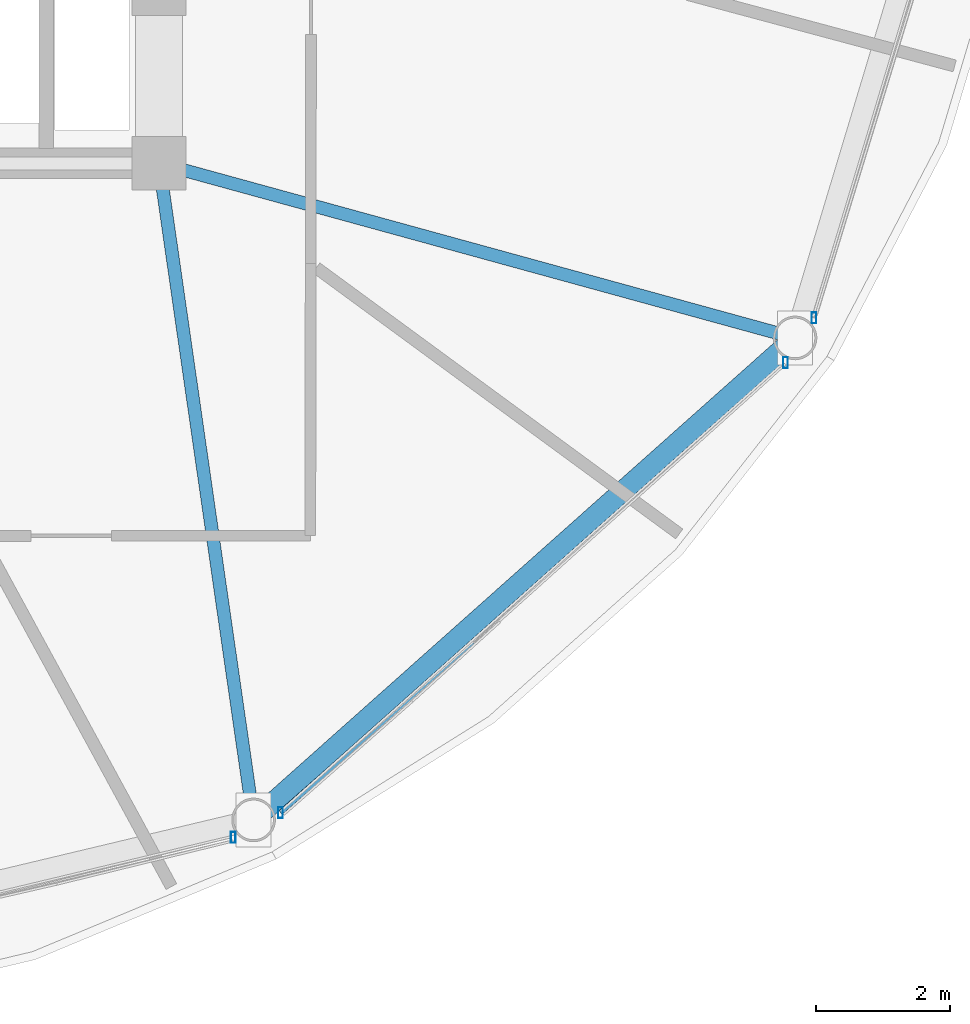
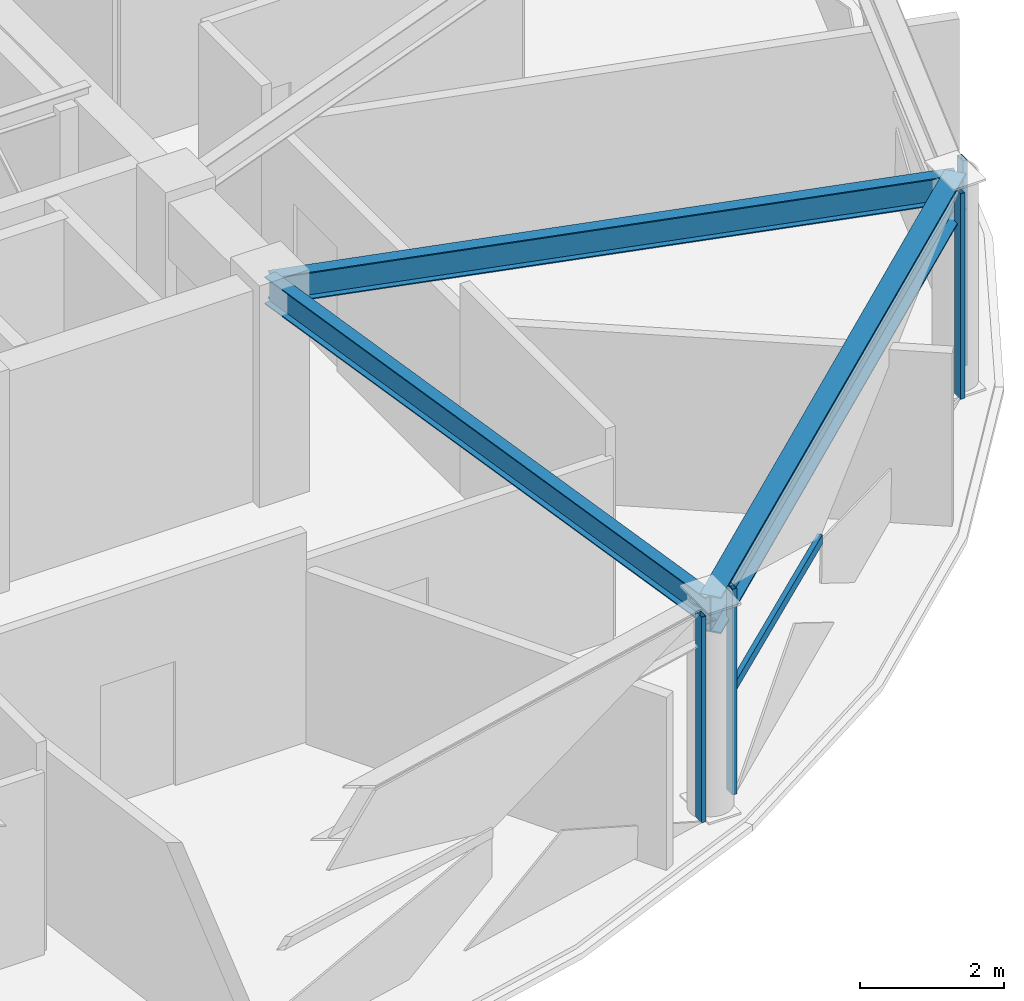
# One storey, part 11 of 28: 5 members, 3 beams, 3 elements without a shape of their own.
"""IFC4 building model written with IfcOpenShell, lengths in metres."""

from ifc_helpers import new_model, si_unit, direction, frame, origin, origin_2d, place, context, subcontext, project, spatial, hollow_rectangle, i_section, extrude, material, layer, layer_set, material_profile, profile_set, type_object, element, aggregate, save


model = new_model("IFC4")

# Units and contexts
model_context = context("Model", 3, precision=1e-05, world=origin(), true_north=direction((0.0, 1.0)))
body_context = subcontext(model_context, "Body", "Model", "MODEL_VIEW")
ifc_project = project(units=[si_unit("LENGTHUNIT", "METRE"), si_unit("AREAUNIT", "SQUARE_METRE"), si_unit("VOLUMEUNIT", "CUBIC_METRE"), si_unit("PLANEANGLEUNIT", "RADIAN"), si_unit("MASSUNIT", "GRAM", prefix="KILO")], contexts=[model_context])

# Site, building, storey
site_placement = place(None, origin())
site = spatial("IfcSite", under=ifc_project, at=site_placement, CompositionType="ELEMENT")
building_placement = place(site_placement, origin())
building = spatial("IfcBuilding", under=site, at=building_placement, Name="Vantalir Tower", CompositionType="ELEMENT")
storey_placement = place(building_placement, frame((0.0, 0.0, 223.64990234375)))
storey = spatial("IfcBuildingStorey", under=building, at=storey_placement, Name="L56", CompositionType="ELEMENT", Elevation=223.64990234375)

# Beams
ifc_material_1 = material(Name="Steel S355", Category="steel")
ifc_material_profile_1 = material_profile(ifc_material_1, i_section(OverallWidth=0.19189453125, OverallDepth=0.462890625, WebThickness=0.010498046875, FlangeThickness=0.017578125, at=origin_2d()), Name="Steel S355")
ifc_profile_set_1 = profile_set([ifc_material_profile_1], Name="Steel S355")
beam_type_1 = type_object("IfcBeamType", Name="BM-RB-457x191", PredefinedType="BEAM", material=ifc_profile_set_1)
beam_1_placement = place(storey_placement, frame((42.506103515625, 8.029052734375, 3.338134765625), z_axis=(-0.142428845266, 0.989805043449, 0.0), x_axis=(-0.989805043449, -0.142428845266, 0.0)))
element("IfcBeam", 1, at=beam_1_placement, inside=storey, type_object=beam_type_1, Name="L56 Radial Floor Beam 11", PredefinedType="BEAM", context=body_context, shape_type="SweptSolid", body=[
    extrude(i_section(OverallWidth=0.19189453125, OverallDepth=0.462890625, WebThickness=0.010498046875, FlangeThickness=0.017578125, at=origin_2d()), origin(), (0.0, 0.0, 1.0), 9.87158203125),
])
beam_2_placement = place(storey_placement, frame((50.56396484375, 15.201904296875, 3.338134765625), z_axis=(-0.964320419913, 0.264737847196, 0.0), x_axis=(-0.264737847196, -0.964320419913, 0.0)))
element("IfcBeam", 2, at=beam_2_placement, inside=storey, type_object=beam_type_1, Name="L56 Radial Floor Beam 12", PredefinedType="BEAM", context=body_context, shape_type="SweptSolid", body=[
    extrude(i_section(OverallWidth=0.19189453125, OverallDepth=0.462890625, WebThickness=0.010498046875, FlangeThickness=0.017578125, at=origin_2d()), origin(), (0.0, 0.0, 1.0), 9.81396484375),
])
ifc_material_2 = material(Name="Steel S460", Category="steel")
ifc_material_profile_2 = material_profile(ifc_material_2, i_section(OverallWidth=0.306884765625, OverallDepth=0.6201171875, WebThickness=0.01416015625, FlangeThickness=0.023681640625, at=origin_2d()), Name="Steel S460")
ifc_profile_set_2 = profile_set([ifc_material_profile_2], Name="Steel S460")
beam_type_2 = type_object("IfcBeamType", Name="BM-RG-610x305", PredefinedType="USERDEFINED", material=ifc_profile_set_2)
beam_3_placement = place(storey_placement, frame((42.506103515625, 8.029052734375, 3.260009765625), z_axis=(0.746934658409, 0.664897447782, 0.0), x_axis=(-0.664897447782, 0.746934658409, 0.0)))
element("IfcBeam", 3, at=beam_3_placement, inside=storey, type_object=beam_type_2, Name="L56 Circumferential Ring Girder 11", ObjectType="GIRDER", PredefinedType="USERDEFINED", context=body_context, shape_type="SweptSolid", body=[
    extrude(i_section(OverallWidth=0.306884765625, OverallDepth=0.6201171875, WebThickness=0.01416015625, FlangeThickness=0.023681640625, at=origin_2d()), origin(), (0.0, 0.0, 1.0), 10.787841796875),
])

# Curtain wall, member
ifc_material_3 = material(Name="Champagne-silver PVDF aluminium and double-silver Low-E glass", Category="aluminium")
ifc_layer = layer(ifc_material_3, 0.2099609375)
ifc_layer_set = layer_set([ifc_layer], Name="Champagne-silver PVDF aluminium and double-silver Low-E glass")
curtain_wall_type = type_object("IfcCurtainWallType", Name="CW-DIAMOND-Z3", PredefinedType="USERDEFINED", material=ifc_layer_set)
curtain_wall_1_placement = place(storey_placement, origin())
curtain_wall_1 = element("IfcCurtainWall", 4, at=curtain_wall_1_placement, inside=storey, type_object=curtain_wall_type, Name="L56 Quilted Pyramid-Diamond Curtain Wall S10", ObjectType="UNITISED CURTAIN WALL", PredefinedType="USERDEFINED")
ifc_material_4 = material(Name="Champagne-silver PVDF aluminium 6063-T6", Category="aluminium")
ifc_material_profile_3 = material_profile(ifc_material_4, hollow_rectangle(XDim=0.070068359375, YDim=0.1650390625, WallThickness=0.00390625, at=origin_2d()), Name="Champagne-silver PVDF aluminium 6063-T6")
ifc_profile_set_3 = profile_set([ifc_material_profile_3], Name="Champagne-silver PVDF aluminium 6063-T6")
member_type_1 = type_object("IfcMemberType", Name="CWM-165x70", PredefinedType="MULLION", material=ifc_profile_set_3)
member_1_placement = place(storey_placement, frame((42.202880859375, 7.77001953125, 0.045166015625), z_axis=(0.0, 0.0, 1.0), x_axis=(1.0, 0.0, 0.0)))
member_1 = element("IfcMember", 5, at=member_1_placement, type_object=member_type_1, Name="CW-L56-S10 Mullion 2", PredefinedType="MULLION", context=body_context, shape_type="SweptSolid", body=[
    extrude(hollow_rectangle(XDim=0.070068359375, YDim=0.1650390625, WallThickness=0.00390625, at=origin_2d()), origin(), (0.0, 0.0, 1.0), 3.47998046875),
])
aggregate(curtain_wall_1, [member_1])

# Curtain wall, members
curtain_wall_2_placement = place(storey_placement, origin())
curtain_wall_2 = element("IfcCurtainWall", 6, at=curtain_wall_2_placement, inside=storey, type_object=curtain_wall_type, Name="L56 Quilted Pyramid-Diamond Curtain Wall S11", ObjectType="UNITISED CURTAIN WALL", PredefinedType="USERDEFINED")
member_2_placement = place(storey_placement, frame((42.907958984375, 8.137939453125, 0.045166015625), z_axis=(0.0, 0.0, 1.0), x_axis=(1.0, 0.0, 0.0)))
member_2 = element("IfcMember", 7, at=member_2_placement, type_object=member_type_1, Name="CW-L56-S11 Mullion 1", PredefinedType="MULLION", context=body_context, shape_type="SweptSolid", body=[
    extrude(hollow_rectangle(XDim=0.070068359375, YDim=0.1650390625, WallThickness=0.00390625, at=origin_2d()), origin(), (0.0, 0.0, 1.0), 3.47998046875),
])
member_3_placement = place(storey_placement, frame((50.422119140625, 14.833984375, 0.045166015625), z_axis=(0.0, 0.0, 1.0), x_axis=(1.0, 0.0, 0.0)))
member_3 = element("IfcMember", 8, at=member_3_placement, type_object=member_type_1, Name="CW-L56-S11 Mullion 2", PredefinedType="MULLION", context=body_context, shape_type="SweptSolid", body=[
    extrude(hollow_rectangle(XDim=0.070068359375, YDim=0.1650390625, WallThickness=0.00390625, at=origin_2d()), origin(), (0.0, 0.0, 1.0), 3.47998046875),
])

# Curtain wall, member
curtain_wall_3_placement = place(storey_placement, origin())
curtain_wall_3 = element("IfcCurtainWall", 9, at=curtain_wall_3_placement, inside=storey, type_object=curtain_wall_type, Name="L56 Quilted Pyramid-Diamond Curtain Wall S12", ObjectType="UNITISED CURTAIN WALL", PredefinedType="USERDEFINED")
member_4_placement = place(storey_placement, frame((50.845947265625, 15.5, 0.045166015625), z_axis=(0.0, 0.0, 1.0), x_axis=(1.0, 0.0, 0.0)))
member_4 = element("IfcMember", 10, at=member_4_placement, type_object=member_type_1, Name="CW-L56-S12 Mullion 1", PredefinedType="MULLION", context=body_context, shape_type="SweptSolid", body=[
    extrude(hollow_rectangle(XDim=0.070068359375, YDim=0.1650390625, WallThickness=0.00390625, at=origin_2d()), origin(), (0.0, 0.0, 1.0), 3.47998046875),
])
aggregate(curtain_wall_3, [member_4])

# Member
ifc_material_profile_4 = material_profile(ifc_material_4, hollow_rectangle(XDim=0.074951171875, YDim=0.159912109375, WallThickness=0.00390625, at=origin_2d()), Name="Champagne-silver PVDF aluminium 6063-T6")
ifc_profile_set_4 = profile_set([ifc_material_profile_4], Name="Champagne-silver PVDF aluminium 6063-T6")
member_type_2 = type_object("IfcMemberType", Name="CWT-160x75", PredefinedType="USERDEFINED", material=ifc_profile_set_4)
member_5_placement = place(storey_placement, frame((42.907958984375, 8.137939453125, 1.78515625), z_axis=(0.7507552935, 0.660580418482, 0.0), x_axis=(-0.660580418482, 0.7507552935, 0.0)))
member_5 = element("IfcMember", 11, at=member_5_placement, type_object=member_type_2, Name="CW-L56-S11 Pyramid Fold Ridge Transom", ObjectType="TRANSOM", PredefinedType="USERDEFINED", context=body_context, shape_type="SweptSolid", body=[
    extrude(hollow_rectangle(XDim=0.074951171875, YDim=0.159912109375, WallThickness=0.00390625, at=origin_2d()), origin(), (0.0, 0.0, 1.0), 3.82568359375),
])

aggregate(curtain_wall_2, [member_2, member_3, member_5])

save(model, "model.ifc")
